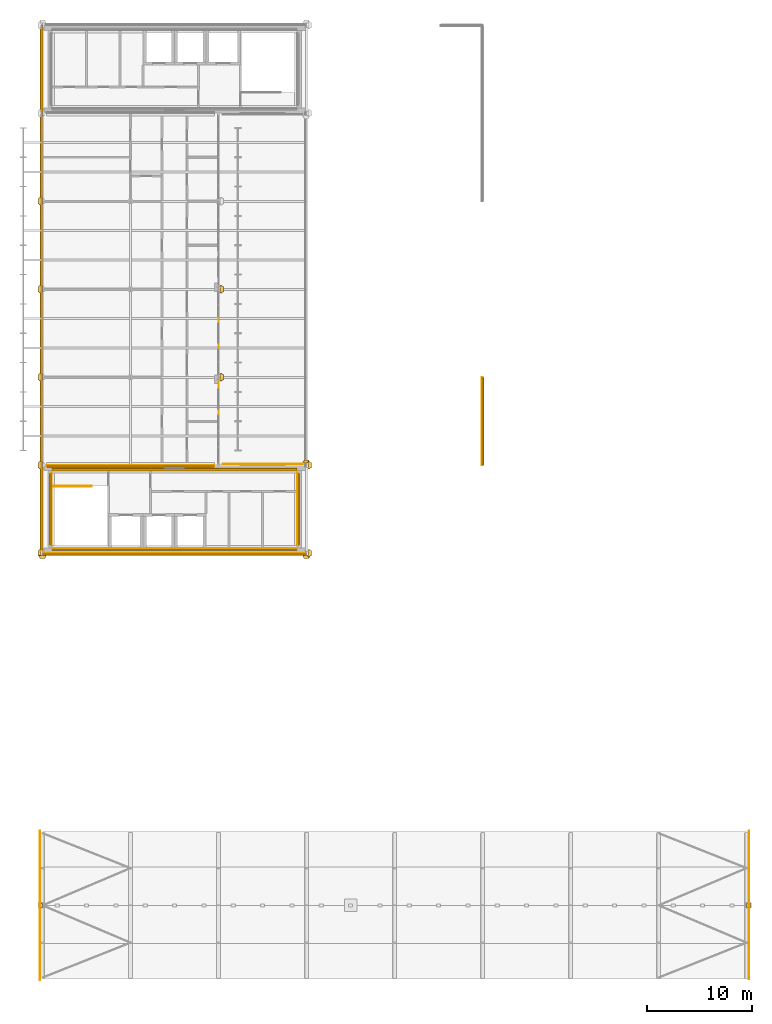
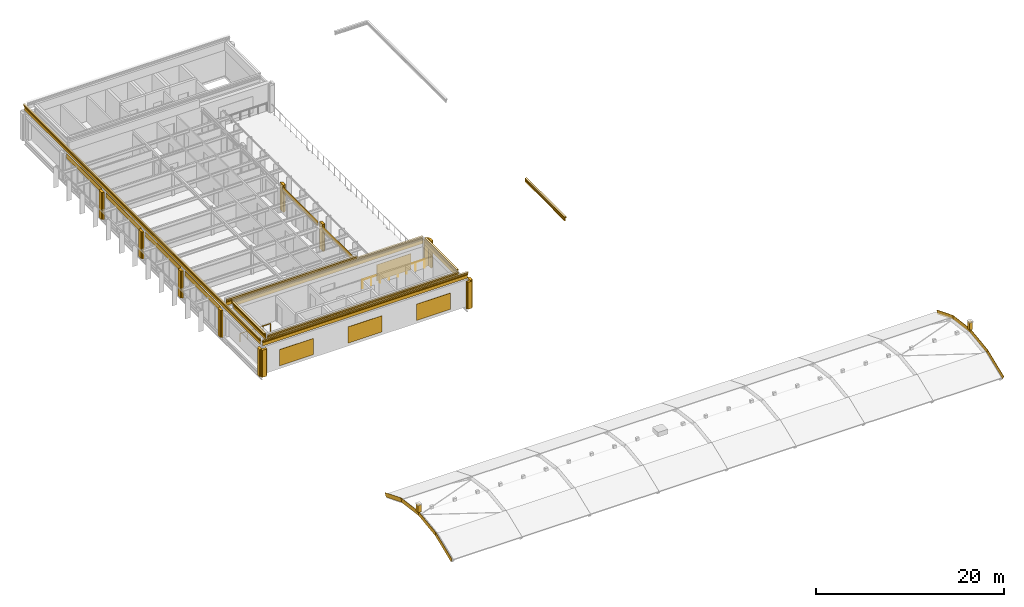
# One storey, part 30 of 31: 63 coverings, 2 railings.
"""IFC4 building model written with IfcOpenShell, lengths in metres."""

from ifc_helpers import new_model, si_unit, direction, frame, origin, origin_2d, place, context, subcontext, project, spatial, polyline, rectangle, circle, outline, extrude, material, layer, layer_set, type_object, element, save


model = new_model("IFC4")

# Units and contexts
model_context = context("Model", 3, precision=1e-05, world=origin(), true_north=direction((0.0, 1.0)))
body_context = subcontext(model_context, "Body", "Model", "MODEL_VIEW")
ifc_project = project(units=[si_unit("LENGTHUNIT", "METRE"), si_unit("AREAUNIT", "SQUARE_METRE"), si_unit("VOLUMEUNIT", "CUBIC_METRE"), si_unit("PLANEANGLEUNIT", "RADIAN"), si_unit("MASSUNIT", "GRAM", prefix="KILO")], contexts=[model_context])

# Site, building, storey
site_placement = place(None, origin())
site = spatial("IfcSite", under=ifc_project, at=site_placement, CompositionType="ELEMENT")
building_placement = place(site_placement, origin())
building = spatial("IfcBuilding", under=site, at=building_placement, Name="Catenary Quay Ferry Terminal", CompositionType="ELEMENT")
storey_placement = place(building_placement, frame((0.0, 0.0, 20.60009765625)))
storey = spatial("IfcBuildingStorey", under=building, at=storey_placement, Name="L04", CompositionType="ELEMENT", Elevation=20.60009765625)

# Coverings
ifc_material_1 = material(Name="Pale glazed ceramic tile")
ifc_layer_1 = layer(ifc_material_1, 0.0400390625)
ifc_layer_set_1 = layer_set([ifc_layer_1], Name="AR1")
covering_type_1 = type_object("IfcCoveringType", Name="AR1", PredefinedType="CLADDING", material=ifc_layer_set_1)
covering_1_placement = place(storey_placement, frame((24.996826171875, 119.110107421875, 0.386962890625), z_axis=(1.0, 0.0, 0.0), x_axis=(0.0, 0.928035060995, 0.372492853039)))
element("IfcCovering", 1, at=covering_1_placement, inside=storey, type_object=covering_type_1, Name="Archivolt band, departure vault gable", PredefinedType="CLADDING", context=body_context, shape_type="SweptSolid", body=[
    extrude(outline(polyline([(0.0, 0.0), (3.5890999024384915, 0.0), (3.6516676093825793, 0.499979670310152), (-0.05235845783530091, 0.5000707936265192), (0.0, 0.0)])), origin(), (0.0, 0.0, -1.0), 0.0400390625),
])
covering_2_placement = place(storey_placement, frame((24.996826171875, 122.44091796875, 1.723876953125), z_axis=(1.0, 0.0, 0.0), x_axis=(0.0, 0.991171994386, 0.132582342506)))
element("IfcCovering", 2, at=covering_2_placement, inside=storey, type_object=covering_type_1, Name="Archivolt band, departure vault gable", PredefinedType="CLADDING", context=body_context, shape_type="SweptSolid", body=[
    extrude(outline(polyline([(0.0, 0.0), (3.5907814702269265, 5.551115123125783e-17), (3.657655278727292, 0.4999417334965783), (-0.062434311867848105, 0.4999963453639216), (0.0, 0.0)])), origin(), (0.0, 0.0, -1.0), 0.0400390625),
])
covering_3_placement = place(storey_placement, frame((24.996826171875, 126.0, 2.199951171875), z_axis=(1.0, 0.0, 0.0), x_axis=(0.0, 0.991171994386, -0.132582342506)))
element("IfcCovering", 3, at=covering_3_placement, inside=storey, type_object=covering_type_1, Name="Archivolt band, departure vault gable", PredefinedType="CLADDING", context=body_context, shape_type="SweptSolid", body=[
    extrude(outline(polyline([(0.0, 0.0), (3.5907814702269265, -5.551115123125783e-17), (3.6532157820947746, 0.49999634536392157), (-0.06687380850036545, 0.4999417334965783), (0.0, 0.0)])), origin(), (0.0, 0.0, -1.0), 0.0400390625),
])
covering_4_placement = place(storey_placement, frame((24.996826171875, 129.55908203125, 1.723876953125), z_axis=(1.0, 0.0, 0.0), x_axis=(0.0, 0.928035060995, -0.372492853039)))
element("IfcCovering", 4, at=covering_4_placement, inside=storey, type_object=covering_type_1, Name="Archivolt band, departure vault gable", PredefinedType="CLADDING", context=body_context, shape_type="SweptSolid", body=[
    extrude(outline(polyline([(0.0, 0.0), (3.5890999024384915, 0.0), (3.6414583602737927, 0.5000707936265193), (-0.06256770694408749, 0.4999796703101522), (0.0, 0.0)])), origin(), (0.0, 0.0, -1.0), 0.0400390625),
])
covering_5_placement = place(storey_placement, frame((92.603271484375, 118.875244140625, 0.83154296875), z_axis=(-1.0, 0.0, 0.0), x_axis=(0.0, 0.928044224468, 0.372470022192)))
element("IfcCovering", 5, at=covering_5_placement, inside=storey, type_object=covering_type_1, Name="Archivolt band, departure vault gable", PredefinedType="CLADDING", context=body_context, shape_type="SweptSolid", body=[
    extrude(outline(polyline([(0.0, 0.0), (3.7040260683387496, 0.0), (3.6414706614905477, 0.4999812093966589), (0.052370760138148065, 0.5000695053967001), (0.0, 0.0)])), origin(), (0.0, 0.0, -1.0), 0.0400390625),
])
covering_6_placement = place(storey_placement, frame((92.603271484375, 122.312744140625, 2.211181640625), z_axis=(-1.0, 0.0, 0.0), x_axis=(0.0, 0.991173940622, 0.132567791833)))
element("IfcCovering", 6, at=covering_6_placement, inside=storey, type_object=covering_type_1, Name="Archivolt band, departure vault gable", PredefinedType="CLADDING", context=body_context, shape_type="SweptSolid", body=[
    extrude(outline(polyline([(0.0, 0.0), (3.720089590995998, 0.0), (3.6532231217754454, 0.4999427151673321), (0.062441651935443224, 0.4999954287583664), (0.0, 0.0)])), origin(), (0.0, 0.0, -1.0), 0.0400390625),
])
covering_7_placement = place(storey_placement, frame((92.603271484375, 126.0, 2.704345703125), z_axis=(-1.0, 0.0, 0.0), x_axis=(0.0, 0.991173940622, -0.132567791833)))
element("IfcCovering", 7, at=covering_7_placement, inside=storey, type_object=covering_type_1, Name="Archivolt band, departure vault gable", PredefinedType="CLADDING", context=body_context, shape_type="SweptSolid", body=[
    extrude(outline(polyline([(0.0, 0.0), (3.720089590995998, 0.0), (3.657647939060555, 0.49999542875836633), (0.06686646922055292, 0.499942715167332), (0.0, 0.0)])), origin(), (0.0, 0.0, -1.0), 0.0400390625),
])
covering_8_placement = place(storey_placement, frame((92.603271484375, 129.687255859375, 2.211181640625), z_axis=(-1.0, 0.0, 0.0), x_axis=(0.0, 0.928044224468, -0.372470022192)))
element("IfcCovering", 8, at=covering_8_placement, inside=storey, type_object=covering_type_1, Name="Archivolt band, departure vault gable", PredefinedType="CLADDING", context=body_context, shape_type="SweptSolid", body=[
    extrude(outline(polyline([(0.0, 0.0), (3.7040260683387496, 0.0), (3.6516553082006014, 0.5000695053967001), (0.06255540684820143, 0.4999812093966589), (0.0, 0.0)])), origin(), (0.0, 0.0, -1.0), 0.0400390625),
])
ifc_material_2 = material(Name="Ceramic tile")
ifc_layer_2 = layer(ifc_material_2, 0.0400390625)
ifc_layer_set_2 = layer_set([ifc_layer_2], Name="CL2")
covering_type_2 = type_object("IfcCoveringType", Name="CL2", PredefinedType="CLADDING", material=ifc_layer_set_2)
covering_9_placement = place(storey_placement, origin())
element("IfcCovering", 9, at=covering_9_placement, inside=storey, type_object=covering_type_2, Name="Ceramic pier casing", PredefinedType="CLADDING", context=body_context, shape_type="SweptSolid", body=[
    extrude(outline(polyline([(25.050048828125, 159.949951171875), (24.8701171875, 159.949951171875), (24.8701171875, 159.85009765625), (24.75, 159.85009765625), (24.75, 159.35009765625), (24.8701171875, 159.35009765625), (24.8701171875, 159.25), (25.050048828125, 159.25), (25.050048828125, 159.949951171875)])), origin(), (0.0, 0.0, 1.0), 3.5),
])
covering_10_placement = place(storey_placement, origin())
element("IfcCovering", 10, at=covering_10_placement, inside=storey, type_object=covering_type_2, Name="Ceramic pier casing", PredefinedType="CLADDING", context=body_context, shape_type="SweptSolid", body=[
    extrude(outline(polyline([(24.85009765625, 159.39990234375), (24.85009765625, 159.219970703125), (24.949951171875, 159.219970703125), (24.949951171875, 159.10009765625), (25.449951171875, 159.10009765625), (25.449951171875, 159.219970703125), (25.550048828125, 159.219970703125), (25.550048828125, 159.39990234375), (24.85009765625, 159.39990234375)])), origin(), (0.0, 0.0, 1.0), 3.5),
])
covering_11_placement = place(storey_placement, origin())
element("IfcCovering", 11, at=covering_11_placement, inside=storey, type_object=covering_type_2, Name="Ceramic pier casing", PredefinedType="CLADDING", context=body_context, shape_type="SweptSolid", body=[
    extrude(outline(polyline([(25.050048828125, 168.35009765625), (24.8701171875, 168.35009765625), (24.8701171875, 168.25), (24.75, 168.25), (24.75, 167.75), (24.8701171875, 167.75), (24.8701171875, 167.64990234375), (25.050048828125, 167.64990234375), (25.050048828125, 168.35009765625)])), origin(), (0.0, 0.0, 1.0), 3.5),
])
covering_12_placement = place(storey_placement, origin())
element("IfcCovering", 12, at=covering_12_placement, inside=storey, type_object=covering_type_2, Name="Ceramic pier casing", PredefinedType="CLADDING", context=body_context, shape_type="SweptSolid", body=[
    extrude(outline(polyline([(50.550048828125, 159.25), (50.72998046875, 159.25), (50.72998046875, 159.35009765625), (50.85009765625, 159.35009765625), (50.85009765625, 159.85009765625), (50.72998046875, 159.85009765625), (50.72998046875, 159.949951171875), (50.550048828125, 159.949951171875), (50.550048828125, 159.25)])), origin(), (0.0, 0.0, 1.0), 3.5),
])
covering_13_placement = place(storey_placement, origin())
element("IfcCovering", 13, at=covering_13_placement, inside=storey, type_object=covering_type_2, Name="Ceramic pier casing", PredefinedType="CLADDING", context=body_context, shape_type="SweptSolid", body=[
    extrude(outline(polyline([(50.050048828125, 159.39990234375), (50.050048828125, 159.219970703125), (50.14990234375, 159.219970703125), (50.14990234375, 159.10009765625), (50.64990234375, 159.10009765625), (50.64990234375, 159.219970703125), (50.75, 159.219970703125), (50.75, 159.39990234375), (50.050048828125, 159.39990234375)])), origin(), (0.0, 0.0, 1.0), 3.5),
])
covering_14_placement = place(storey_placement, origin())
element("IfcCovering", 14, at=covering_14_placement, inside=storey, type_object=covering_type_2, Name="Ceramic pier casing", PredefinedType="CLADDING", context=body_context, shape_type="SweptSolid", body=[
    extrude(outline(polyline([(50.550048828125, 167.64990234375), (50.72998046875, 167.64990234375), (50.72998046875, 167.75), (50.85009765625, 167.75), (50.85009765625, 168.25), (50.72998046875, 168.25), (50.72998046875, 168.35009765625), (50.550048828125, 168.35009765625), (50.550048828125, 167.64990234375)])), origin(), (0.0, 0.0, 1.0), 3.5),
])
covering_15_placement = place(storey_placement, origin())
element("IfcCovering", 15, at=covering_15_placement, inside=storey, type_object=covering_type_2, Name="Ceramic pier casing", PredefinedType="CLADDING", context=body_context, shape_type="SweptSolid", body=[
    extrude(outline(polyline([(50.75, 168.199951171875), (50.75, 168.3798828125), (50.64990234375, 168.3798828125), (50.64990234375, 168.5), (50.14990234375, 168.5), (50.14990234375, 168.3798828125), (50.050048828125, 168.3798828125), (50.050048828125, 168.199951171875), (50.75, 168.199951171875)])), origin(), (0.0, 0.0, 1.0), 3.5),
])
covering_16_placement = place(storey_placement, origin())
element("IfcCovering", 16, at=covering_16_placement, inside=storey, type_object=covering_type_2, Name="Ceramic pier casing", PredefinedType="CLADDING", context=body_context, shape_type="SweptSolid", body=[
    extrude(outline(polyline([(25.050048828125, 176.75), (24.8701171875, 176.75), (24.8701171875, 176.64990234375), (24.75, 176.64990234375), (24.75, 176.14990234375), (24.8701171875, 176.14990234375), (24.8701171875, 176.050048828125), (25.050048828125, 176.050048828125), (25.050048828125, 176.75)])), origin(), (0.0, 0.0, 1.0), 3.5),
])
covering_17_placement = place(storey_placement, origin())
element("IfcCovering", 17, at=covering_17_placement, inside=storey, type_object=covering_type_2, Name="Ceramic pier casing", PredefinedType="CLADDING", context=body_context, shape_type="SweptSolid", body=[
    extrude(outline(polyline([(25.050048828125, 185.14990234375), (24.8701171875, 185.14990234375), (24.8701171875, 185.050048828125), (24.75, 185.050048828125), (24.75, 184.550048828125), (24.8701171875, 184.550048828125), (24.8701171875, 184.449951171875), (25.050048828125, 184.449951171875), (25.050048828125, 185.14990234375)])), origin(), (0.0, 0.0, 1.0), 3.5),
])
covering_18_placement = place(storey_placement, origin())
element("IfcCovering", 18, at=covering_18_placement, inside=storey, type_object=covering_type_2, Name="Ceramic pier casing", PredefinedType="CLADDING", context=body_context, shape_type="SweptSolid", body=[
    extrude(outline(polyline([(25.050048828125, 193.550048828125), (24.8701171875, 193.550048828125), (24.8701171875, 193.449951171875), (24.75, 193.449951171875), (24.75, 192.949951171875), (24.8701171875, 192.949951171875), (24.8701171875, 192.85009765625), (25.050048828125, 192.85009765625), (25.050048828125, 193.550048828125)])), origin(), (0.0, 0.0, 1.0), 3.5),
])
covering_19_placement = place(storey_placement, origin())
element("IfcCovering", 19, at=covering_19_placement, inside=storey, type_object=covering_type_2, Name="Ceramic pier casing", PredefinedType="CLADDING", context=body_context, shape_type="SweptSolid", body=[
    extrude(outline(polyline([(42.14990234375, 176.050048828125), (42.330078125, 176.050048828125), (42.330078125, 176.14990234375), (42.449951171875, 176.14990234375), (42.449951171875, 176.64990234375), (42.330078125, 176.64990234375), (42.330078125, 176.75), (42.14990234375, 176.75), (42.14990234375, 176.050048828125)])), origin(), (0.0, 0.0, 1.0), 3.5),
])
covering_20_placement = place(storey_placement, origin())
element("IfcCovering", 20, at=covering_20_placement, inside=storey, type_object=covering_type_2, Name="Ceramic pier casing", PredefinedType="CLADDING", context=body_context, shape_type="SweptSolid", body=[
    extrude(outline(polyline([(42.14990234375, 184.449951171875), (42.330078125, 184.449951171875), (42.330078125, 184.550048828125), (42.449951171875, 184.550048828125), (42.449951171875, 185.050048828125), (42.330078125, 185.050048828125), (42.330078125, 185.14990234375), (42.14990234375, 185.14990234375), (42.14990234375, 184.449951171875)])), origin(), (0.0, 0.0, 1.0), 3.5),
])
ifc_material_3 = material(Name="Ceramic tile")
ifc_layer_3 = layer(ifc_material_3, 0.034912109375)
ifc_layer_set_3 = layer_set([ifc_layer_3], Name="CL5")
covering_type_3 = type_object("IfcCoveringType", Name="CL5", PredefinedType="CLADDING", material=ifc_layer_set_3)
for number, where, z_axis, x_axis, name in (
    (21, (29.39990234375, 159.58251953125, 0.39990234375), (0.0, 0.0, 1.0), (1.0, 0.0, 0.0), "Core h159.6 cladding CV360"),
    (22, (37.800048828125, 159.58251953125, 0.39990234375), (0.0, 0.0, 1.0), (1.0, 0.0, 0.0), "Core h159.6 cladding CV361"),
    (23, (46.199951171875, 159.58251953125, 0.39990234375), (0.0, 0.0, 1.0), (1.0, 0.0, 0.0), "Core h159.6 cladding CV362"),
    (24, (46.199951171875, 168.017578125, 0.39990234375), (0.0, 0.0, 1.0), (1.0, 0.0, 0.0), "Core h168.0 cladding CV375"),
):
    element("IfcCovering", number, at=place(storey_placement, frame(where, z_axis=z_axis, x_axis=x_axis)), inside=storey, type_object=covering_type_3, Name=name, PredefinedType="CLADDING", context=body_context, shape_type="SweptSolid", body=[
        extrude(rectangle(XDim=4.199951171875, YDim=0.034912109375, at=origin_2d()), origin(), (0.0, 0.0, 1.0), 2.10009765625),
    ])
ifc_material_4 = material(Name="Glazed ceramic tile, ochre")
ifc_layer_4 = layer(ifc_material_4, 0.030029296875)
ifc_layer_set_4 = layer_set([ifc_layer_4], Name="CL6")
covering_type_4 = type_object("IfcCoveringType", Name="CL6", PredefinedType="CLADDING", material=ifc_layer_set_4)
for number, where, z_axis, x_axis, name in (
    (25, (25.18505859375, 172.199951171875, 2.89990234375), (0.0, 0.0, 1.0), (1.0, 0.0, 0.0), "Band wing v25.2 cladding CV363"),
    (26, (25.18505859375, 180.60009765625, 2.89990234375), (0.0, 0.0, 1.0), (1.0, 0.0, 0.0), "Band wing v25.2 cladding CV364"),
    (27, (25.18505859375, 189.0, 2.89990234375), (0.0, 0.0, 1.0), (1.0, 0.0, 0.0), "Band wing v25.2 cladding CV365"),
    (28, (25.18505859375, 197.39990234375, 2.89990234375), (0.0, 0.0, 1.0), (1.0, 0.0, 0.0), "Band wing v25.2 cladding CV366"),
    (29, (42.014892578125, 172.199951171875, 2.89990234375), (0.0, 0.0, 1.0), (1.0, 0.0, 0.0), "Band wing v42.0 cladding CV371"),
    (30, (42.014892578125, 180.60009765625, 2.89990234375), (0.0, 0.0, 1.0), (1.0, 0.0, 0.0), "Band wing v42.0 cladding CV372"),
):
    element("IfcCovering", number, at=place(storey_placement, frame(where, z_axis=z_axis, x_axis=x_axis)), inside=storey, type_object=covering_type_4, Name=name, PredefinedType="CLADDING", context=body_context, shape_type="SweptSolid", body=[
        extrude(rectangle(XDim=0.030029296875, YDim=7.5, at=origin_2d()), origin(), (0.0, 0.0, 1.0), 0.60009765625),
    ])
ifc_material_5 = material(Name="Facing brick", Category="masonry")
ifc_layer_5 = layer(ifc_material_5, 0.10009765625)
ifc_layer_set_5 = layer_set([ifc_layer_5], Name="CN1")
covering_type_5 = type_object("IfcCoveringType", Name="CN1", PredefinedType="CLADDING", material=ifc_layer_set_5)
covering_21_placement = place(storey_placement, frame((37.800048828125, 159.5625, 4.14990234375), z_axis=(0.0, 0.0, 1.0), x_axis=(1.0, 0.0, 0.0)))
element("IfcCovering", 31, at=covering_21_placement, inside=storey, type_object=covering_type_5, Name="Brick corbelled cornice", PredefinedType="CLADDING", context=body_context, shape_type="SweptSolid", body=[
    extrude(rectangle(XDim=25.159912109375, YDim=0.074951171875, at=origin_2d()), origin(), (0.0, 0.0, 1.0), 0.14990234375),
])
covering_22_placement = place(storey_placement, frame((37.800048828125, 159.52490234375, 4.300048828125), z_axis=(0.0, 0.0, 1.0), x_axis=(1.0, 0.0, 0.0)))
element("IfcCovering", 32, at=covering_22_placement, inside=storey, type_object=covering_type_5, Name="Brick corbelled cornice", PredefinedType="CLADDING", context=body_context, shape_type="SweptSolid", body=[
    extrude(rectangle(XDim=25.159912109375, YDim=0.14990234375, at=origin_2d()), origin(), (0.0, 0.0, 1.0), 0.14990234375),
])
covering_23_placement = place(storey_placement, frame((37.800048828125, 159.487548828125, 4.449951171875), z_axis=(0.0, 0.0, 1.0), x_axis=(1.0, 0.0, 0.0)))
element("IfcCovering", 33, at=covering_23_placement, inside=storey, type_object=covering_type_5, Name="Brick corbelled cornice", PredefinedType="CLADDING", context=body_context, shape_type="SweptSolid", body=[
    extrude(rectangle(XDim=25.159912109375, YDim=0.22509765625, at=origin_2d()), origin(), (0.0, 0.0, 1.0), 0.14990234375),
])
covering_24_placement = place(storey_placement, frame((25.16259765625, 184.949951171875, 4.14990234375), z_axis=(0.0, 0.0, 1.0), x_axis=(1.0, 0.0, 0.0)))
element("IfcCovering", 34, at=covering_24_placement, inside=storey, type_object=covering_type_5, Name="Brick corbelled cornice", PredefinedType="CLADDING", context=body_context, shape_type="SweptSolid", body=[
    extrude(rectangle(XDim=0.074951171875, YDim=50.06005859375, at=origin_2d()), origin(), (0.0, 0.0, 1.0), 0.14990234375),
])
covering_25_placement = place(storey_placement, frame((25.125, 184.949951171875, 4.300048828125), z_axis=(0.0, 0.0, 1.0), x_axis=(1.0, 0.0, 0.0)))
element("IfcCovering", 35, at=covering_25_placement, inside=storey, type_object=covering_type_5, Name="Brick corbelled cornice", PredefinedType="CLADDING", context=body_context, shape_type="SweptSolid", body=[
    extrude(rectangle(XDim=0.14990234375, YDim=50.06005859375, at=origin_2d()), origin(), (0.0, 0.0, 1.0), 0.14990234375),
])
covering_26_placement = place(storey_placement, frame((25.08740234375, 184.949951171875, 4.449951171875), z_axis=(0.0, 0.0, 1.0), x_axis=(1.0, 0.0, 0.0)))
element("IfcCovering", 36, at=covering_26_placement, inside=storey, type_object=covering_type_5, Name="Brick corbelled cornice", PredefinedType="CLADDING", context=body_context, shape_type="SweptSolid", body=[
    extrude(rectangle(XDim=0.22509765625, YDim=50.06005859375, at=origin_2d()), origin(), (0.0, 0.0, 1.0), 0.14990234375),
])
covering_27_placement = place(storey_placement, frame((67.16259765625, 172.199951171875, 0.14990234375), z_axis=(0.0, 0.0, 1.0), x_axis=(1.0, 0.0, 0.0)))
element("IfcCovering", 37, at=covering_27_placement, inside=storey, type_object=covering_type_5, Name="Brick corbelled cornice", PredefinedType="CLADDING", context=body_context, shape_type="SweptSolid", body=[
    extrude(rectangle(XDim=0.074951171875, YDim=8.360107421875, at=origin_2d()), origin(), (0.0, 0.0, 1.0), 0.14990234375),
])
covering_28_placement = place(storey_placement, frame((67.199951171875, 172.199951171875, 0.300048828125), z_axis=(0.0, 0.0, 1.0), x_axis=(1.0, 0.0, 0.0)))
element("IfcCovering", 38, at=covering_28_placement, inside=storey, type_object=covering_type_5, Name="Brick corbelled cornice", PredefinedType="CLADDING", context=body_context, shape_type="SweptSolid", body=[
    extrude(rectangle(XDim=0.14990234375, YDim=8.360107421875, at=origin_2d()), origin(), (0.0, 0.0, 1.0), 0.14990234375),
])
covering_29_placement = place(storey_placement, frame((67.237548828125, 172.199951171875, 0.449951171875), z_axis=(0.0, 0.0, 1.0), x_axis=(1.0, 0.0, 0.0)))
element("IfcCovering", 39, at=covering_29_placement, inside=storey, type_object=covering_type_5, Name="Brick corbelled cornice", PredefinedType="CLADDING", context=body_context, shape_type="SweptSolid", body=[
    extrude(rectangle(XDim=0.22509765625, YDim=8.360107421875, at=origin_2d()), origin(), (0.0, 0.0, 1.0), 0.14990234375),
])
covering_30_placement = place(storey_placement, frame((37.800048828125, 167.53759765625, 4.14990234375), z_axis=(0.0, 0.0, 1.0), x_axis=(1.0, 0.0, 0.0)))
element("IfcCovering", 40, at=covering_30_placement, inside=storey, type_object=covering_type_5, Name="Brick corbelled cornice", PredefinedType="CLADDING", context=body_context, shape_type="SweptSolid", body=[
    extrude(rectangle(XDim=23.360107421875, YDim=0.074951171875, at=origin_2d()), origin(), (0.0, 0.0, 1.0), 0.14990234375),
])
covering_31_placement = place(storey_placement, frame((37.800048828125, 167.574951171875, 4.300048828125), z_axis=(0.0, 0.0, 1.0), x_axis=(1.0, 0.0, 0.0)))
element("IfcCovering", 41, at=covering_31_placement, inside=storey, type_object=covering_type_5, Name="Brick corbelled cornice", PredefinedType="CLADDING", context=body_context, shape_type="SweptSolid", body=[
    extrude(rectangle(XDim=23.360107421875, YDim=0.14990234375, at=origin_2d()), origin(), (0.0, 0.0, 1.0), 0.14990234375),
])
covering_32_placement = place(storey_placement, frame((37.800048828125, 167.612548828125, 4.449951171875), z_axis=(0.0, 0.0, 1.0), x_axis=(1.0, 0.0, 0.0)))
element("IfcCovering", 42, at=covering_32_placement, inside=storey, type_object=covering_type_5, Name="Brick corbelled cornice", PredefinedType="CLADDING", context=body_context, shape_type="SweptSolid", body=[
    extrude(rectangle(XDim=23.360107421875, YDim=0.22509765625, at=origin_2d()), origin(), (0.0, 0.0, 1.0), 0.14990234375),
])
covering_33_placement = place(storey_placement, frame((37.800048828125, 160.0625, 4.14990234375), z_axis=(0.0, 0.0, 1.0), x_axis=(1.0, 0.0, 0.0)))
element("IfcCovering", 43, at=covering_33_placement, inside=storey, type_object=covering_type_5, Name="Brick corbelled cornice", PredefinedType="CLADDING", context=body_context, shape_type="SweptSolid", body=[
    extrude(rectangle(XDim=23.360107421875, YDim=0.074951171875, at=origin_2d()), origin(), (0.0, 0.0, 1.0), 0.14990234375),
])
covering_34_placement = place(storey_placement, frame((37.800048828125, 160.02490234375, 4.300048828125), z_axis=(0.0, 0.0, 1.0), x_axis=(1.0, 0.0, 0.0)))
element("IfcCovering", 44, at=covering_34_placement, inside=storey, type_object=covering_type_5, Name="Brick corbelled cornice", PredefinedType="CLADDING", context=body_context, shape_type="SweptSolid", body=[
    extrude(rectangle(XDim=23.360107421875, YDim=0.14990234375, at=origin_2d()), origin(), (0.0, 0.0, 1.0), 0.14990234375),
])
covering_35_placement = place(storey_placement, frame((37.800048828125, 159.987548828125, 4.449951171875), z_axis=(0.0, 0.0, 1.0), x_axis=(1.0, 0.0, 0.0)))
element("IfcCovering", 45, at=covering_35_placement, inside=storey, type_object=covering_type_5, Name="Brick corbelled cornice", PredefinedType="CLADDING", context=body_context, shape_type="SweptSolid", body=[
    extrude(rectangle(XDim=23.360107421875, YDim=0.22509765625, at=origin_2d()), origin(), (0.0, 0.0, 1.0), 0.14990234375),
])
covering_36_placement = place(storey_placement, frame((33.60009765625, 167.96240234375, 4.14990234375), z_axis=(0.0, 0.0, 1.0), x_axis=(1.0, 0.0, 0.0)))
element("IfcCovering", 46, at=covering_36_placement, inside=storey, type_object=covering_type_5, Name="Brick corbelled cornice", PredefinedType="CLADDING", context=body_context, shape_type="SweptSolid", body=[
    extrude(rectangle(XDim=15.954833984375, YDim=0.074951171875, at=origin_2d()), origin(), (0.0, 0.0, 1.0), 0.14990234375),
])
covering_37_placement = place(storey_placement, frame((33.60009765625, 167.925048828125, 4.300048828125), z_axis=(0.0, 0.0, 1.0), x_axis=(1.0, 0.0, 0.0)))
element("IfcCovering", 47, at=covering_37_placement, inside=storey, type_object=covering_type_5, Name="Brick corbelled cornice", PredefinedType="CLADDING", context=body_context, shape_type="SweptSolid", body=[
    extrude(rectangle(XDim=15.954833984375, YDim=0.14990234375, at=origin_2d()), origin(), (0.0, 0.0, 1.0), 0.14990234375),
])
covering_38_placement = place(storey_placement, frame((33.60009765625, 167.887451171875, 4.449951171875), z_axis=(0.0, 0.0, 1.0), x_axis=(1.0, 0.0, 0.0)))
element("IfcCovering", 48, at=covering_38_placement, inside=storey, type_object=covering_type_5, Name="Brick corbelled cornice", PredefinedType="CLADDING", context=body_context, shape_type="SweptSolid", body=[
    extrude(rectangle(XDim=15.954833984375, YDim=0.22509765625, at=origin_2d()), origin(), (0.0, 0.0, 1.0), 0.14990234375),
])
covering_39_placement = place(storey_placement, frame((26.0625, 163.800048828125, 4.14990234375), z_axis=(0.0, 0.0, 1.0), x_axis=(1.0, 0.0, 0.0)))
element("IfcCovering", 49, at=covering_39_placement, inside=storey, type_object=covering_type_5, Name="Brick corbelled cornice", PredefinedType="CLADDING", context=body_context, shape_type="SweptSolid", body=[
    extrude(rectangle(XDim=0.074951171875, YDim=6.860107421875, at=origin_2d()), origin(), (0.0, 0.0, 1.0), 0.14990234375),
])
covering_40_placement = place(storey_placement, frame((26.02490234375, 163.800048828125, 4.300048828125), z_axis=(0.0, 0.0, 1.0), x_axis=(1.0, 0.0, 0.0)))
element("IfcCovering", 50, at=covering_40_placement, inside=storey, type_object=covering_type_5, Name="Brick corbelled cornice", PredefinedType="CLADDING", context=body_context, shape_type="SweptSolid", body=[
    extrude(rectangle(XDim=0.14990234375, YDim=6.860107421875, at=origin_2d()), origin(), (0.0, 0.0, 1.0), 0.14990234375),
])
covering_41_placement = place(storey_placement, frame((25.987548828125, 163.800048828125, 4.449951171875), z_axis=(0.0, 0.0, 1.0), x_axis=(1.0, 0.0, 0.0)))
element("IfcCovering", 51, at=covering_41_placement, inside=storey, type_object=covering_type_5, Name="Brick corbelled cornice", PredefinedType="CLADDING", context=body_context, shape_type="SweptSolid", body=[
    extrude(rectangle(XDim=0.22509765625, YDim=6.860107421875, at=origin_2d()), origin(), (0.0, 0.0, 1.0), 0.14990234375),
])
covering_42_placement = place(storey_placement, frame((49.53759765625, 163.800048828125, 4.14990234375), z_axis=(0.0, 0.0, 1.0), x_axis=(1.0, 0.0, 0.0)))
element("IfcCovering", 52, at=covering_42_placement, inside=storey, type_object=covering_type_5, Name="Brick corbelled cornice", PredefinedType="CLADDING", context=body_context, shape_type="SweptSolid", body=[
    extrude(rectangle(XDim=0.074951171875, YDim=6.860107421875, at=origin_2d()), origin(), (0.0, 0.0, 1.0), 0.14990234375),
])
covering_43_placement = place(storey_placement, frame((49.574951171875, 163.800048828125, 4.300048828125), z_axis=(0.0, 0.0, 1.0), x_axis=(1.0, 0.0, 0.0)))
element("IfcCovering", 53, at=covering_43_placement, inside=storey, type_object=covering_type_5, Name="Brick corbelled cornice", PredefinedType="CLADDING", context=body_context, shape_type="SweptSolid", body=[
    extrude(rectangle(XDim=0.14990234375, YDim=6.860107421875, at=origin_2d()), origin(), (0.0, 0.0, 1.0), 0.14990234375),
])
covering_44_placement = place(storey_placement, frame((49.612548828125, 163.800048828125, 4.449951171875), z_axis=(0.0, 0.0, 1.0), x_axis=(1.0, 0.0, 0.0)))
element("IfcCovering", 54, at=covering_44_placement, inside=storey, type_object=covering_type_5, Name="Brick corbelled cornice", PredefinedType="CLADDING", context=body_context, shape_type="SweptSolid", body=[
    extrude(rectangle(XDim=0.22509765625, YDim=6.860107421875, at=origin_2d()), origin(), (0.0, 0.0, 1.0), 0.14990234375),
])
ifc_material_6 = material(Name="Ceramic tile")
ifc_layer_6 = layer(ifc_material_6, 0.39990234375)
ifc_layer_set_6 = layer_set([ifc_layer_6], Name="FN1")
covering_type_6 = type_object("IfcCoveringType", Name="FN1", PredefinedType="CLADDING", material=ifc_layer_set_6)
for number, where, z_axis, x_axis, name in (
    (55, (24.996826171875, 126.0, 2.704345703125), (0.0, 0.0, 1.0), (1.0, 0.0, 0.0), "Glazed ceramic finial, shaft"),
    (56, (92.603271484375, 126.0, 2.704345703125), (0.0, 0.0, 1.0), (1.0, 0.0, 0.0), "Glazed ceramic finial, shaft"),
):
    element("IfcCovering", number, at=place(storey_placement, frame(where, z_axis=z_axis, x_axis=x_axis)), inside=storey, type_object=covering_type_6, Name=name, PredefinedType="CLADDING", context=body_context, shape_type="SweptSolid", body=[
        extrude(rectangle(XDim=0.39990234375, YDim=0.39990234375, at=origin_2d()), origin(), (0.0, 0.0, 1.0), 0.89990234375),
    ])
ifc_material_7 = material(Name="Ceramic tile")
ifc_layer_7 = layer(ifc_material_7, 0.030029296875)
ifc_layer_set_7 = layer_set([ifc_layer_7], Name="FR1")
covering_type_7 = type_object("IfcCoveringType", Name="FR1", PredefinedType="CLADDING", material=ifc_layer_set_7)
covering_45_placement = place(storey_placement, frame((37.800048828125, 159.5849609375, 3.69970703125), z_axis=(0.0, 0.0, 1.0), x_axis=(1.0, 0.0, 0.0)))
element("IfcCovering", 57, at=covering_45_placement, inside=storey, type_object=covering_type_7, Name="Glazed tile frieze", PredefinedType="CLADDING", context=body_context, shape_type="SweptSolid", body=[
    extrude(rectangle(XDim=25.159912109375, YDim=0.030029296875, at=origin_2d()), origin(), (0.0, 0.0, 1.0), 0.449951171875),
])
covering_46_placement = place(storey_placement, frame((25.18505859375, 184.949951171875, 3.69970703125), z_axis=(0.0, 0.0, 1.0), x_axis=(1.0, 0.0, 0.0)))
element("IfcCovering", 58, at=covering_46_placement, inside=storey, type_object=covering_type_7, Name="Glazed tile frieze", PredefinedType="CLADDING", context=body_context, shape_type="SweptSolid", body=[
    extrude(rectangle(XDim=0.030029296875, YDim=50.06005859375, at=origin_2d()), origin(), (0.0, 0.0, 1.0), 0.449951171875),
])
for number, where, z_axis, x_axis, name in (
    (59, (37.800048828125, 167.514892578125, 3.69970703125), (0.0, 0.0, 1.0), (1.0, 0.0, 0.0), "Glazed tile frieze"),
    (60, (37.800048828125, 160.0849609375, 3.69970703125), (0.0, 0.0, 1.0), (1.0, 0.0, 0.0), "Glazed tile frieze"),
):
    element("IfcCovering", number, at=place(storey_placement, frame(where, z_axis=z_axis, x_axis=x_axis)), inside=storey, type_object=covering_type_7, Name=name, PredefinedType="CLADDING", context=body_context, shape_type="SweptSolid", body=[
        extrude(rectangle(XDim=23.360107421875, YDim=0.030029296875, at=origin_2d()), origin(), (0.0, 0.0, 1.0), 0.449951171875),
    ])
covering_47_placement = place(storey_placement, frame((33.60009765625, 167.985107421875, 3.69970703125), z_axis=(0.0, 0.0, 1.0), x_axis=(1.0, 0.0, 0.0)))
element("IfcCovering", 61, at=covering_47_placement, inside=storey, type_object=covering_type_7, Name="Glazed tile frieze", PredefinedType="CLADDING", context=body_context, shape_type="SweptSolid", body=[
    extrude(rectangle(XDim=15.954833984375, YDim=0.030029296875, at=origin_2d()), origin(), (0.0, 0.0, 1.0), 0.449951171875),
])
for number, where, z_axis, x_axis, name in (
    (62, (26.0849609375, 163.800048828125, 3.69970703125), (0.0, 0.0, 1.0), (1.0, 0.0, 0.0), "Glazed tile frieze"),
    (63, (49.514892578125, 163.800048828125, 3.69970703125), (0.0, 0.0, 1.0), (1.0, 0.0, 0.0), "Glazed tile frieze"),
):
    element("IfcCovering", number, at=place(storey_placement, frame(where, z_axis=z_axis, x_axis=x_axis)), inside=storey, type_object=covering_type_7, Name=name, PredefinedType="CLADDING", context=body_context, shape_type="SweptSolid", body=[
        extrude(rectangle(XDim=0.030029296875, YDim=6.860107421875, at=origin_2d()), origin(), (0.0, 0.0, 1.0), 0.449951171875),
    ])

# Railings
ifc_material_8 = material(Name="Steel and glass", Category="steel")
railing_type_1 = type_object("IfcRailingType", Name="GI1", PredefinedType="GUARDRAIL", material=ifc_material_8)
railing_1_placement = place(storey_placement, frame((26.199951171875, 166.0, 0.0)))
element("IfcRailing", 64, at=railing_1_placement, inside=storey, type_object=railing_type_1, Name="HS2 well guard GI166", PredefinedType="GUARDRAIL", context=body_context, shape_type="SweptSolid", body=[
    extrude(circle(Radius=0.02392578125, at=origin_2d()), frame((0.0, 0.0, 1.076171875), z_axis=(1.0, 0.0, 0.0), x_axis=(0.0, 1.0, 0.0)), (0.0, 0.0, 1.0), 3.699951171875),
    extrude(circle(Radius=0.02099609375, at=origin_2d()), origin(), (0.0, 0.0, 1.0), 1.052001953125),
    extrude(circle(Radius=0.02099609375, at=origin_2d()), frame((0.925048828125, 0.0, 0.0)), (0.0, 0.0, 1.0), 1.052001953125),
    extrude(circle(Radius=0.02099609375, at=origin_2d()), frame((1.85009765625, 0.0, 0.0)), (0.0, 0.0, 1.0), 1.052001953125),
    extrude(circle(Radius=0.02099609375, at=origin_2d()), frame((2.77490234375, 0.0, 0.0)), (0.0, 0.0, 1.0), 1.052001953125),
    extrude(circle(Radius=0.02099609375, at=origin_2d()), frame((3.699951171875, 0.0, 0.0)), (0.0, 0.0, 1.0), 1.052001953125),
])
ifc_material_9 = material(Name="Steel", Category="steel")
railing_type_2 = type_object("IfcRailingType", Name="GT1", PredefinedType="GUARDRAIL", material=ifc_material_9)
railing_2_placement = place(storey_placement, frame((49.997314453125, 168.10009765625, 0.0)))
element("IfcRailing", 65, at=railing_2_placement, inside=storey, type_object=railing_type_2, Name="Roof guard GR31", PredefinedType="GUARDRAIL", context=body_context, shape_type="SweptSolid", body=[
    extrude(circle(Radius=0.02392578125, at=origin_2d()), frame((0.0, 0.0, 1.076171875), z_axis=(-1.0, 0.0, 0.0), x_axis=(0.0, -1.0, 0.0)), (0.0, 0.0, 1.0), 7.5947265625),
    extrude(circle(Radius=0.02099609375, at=origin_2d()), origin(), (0.0, 0.0, 1.0), 1.052001953125),
    extrude(circle(Radius=0.02099609375, at=origin_2d()), frame((-1.0849609375, 0.0, 0.0)), (0.0, 0.0, 1.0), 1.052001953125),
    extrude(circle(Radius=0.02099609375, at=origin_2d()), frame((-2.169921875, 0.0, 0.0)), (0.0, 0.0, 1.0), 1.052001953125),
    extrude(circle(Radius=0.02099609375, at=origin_2d()), frame((-3.2548828125, 0.0, 0.0)), (0.0, 0.0, 1.0), 1.052001953125),
    extrude(circle(Radius=0.02099609375, at=origin_2d()), frame((-4.33984375, 0.0, 0.0)), (0.0, 0.0, 1.0), 1.052001953125),
    extrude(circle(Radius=0.02099609375, at=origin_2d()), frame((-5.4248046875, 0.0, 0.0)), (0.0, 0.0, 1.0), 1.052001953125),
    extrude(circle(Radius=0.02099609375, at=origin_2d()), frame((-6.509765625, 0.0, 0.0)), (0.0, 0.0, 1.0), 1.052001953125),
    extrude(circle(Radius=0.02099609375, at=origin_2d()), frame((-7.5947265625, 0.0, 0.0)), (0.0, 0.0, 1.0), 1.052001953125),
])

save(model, "model.ifc")
